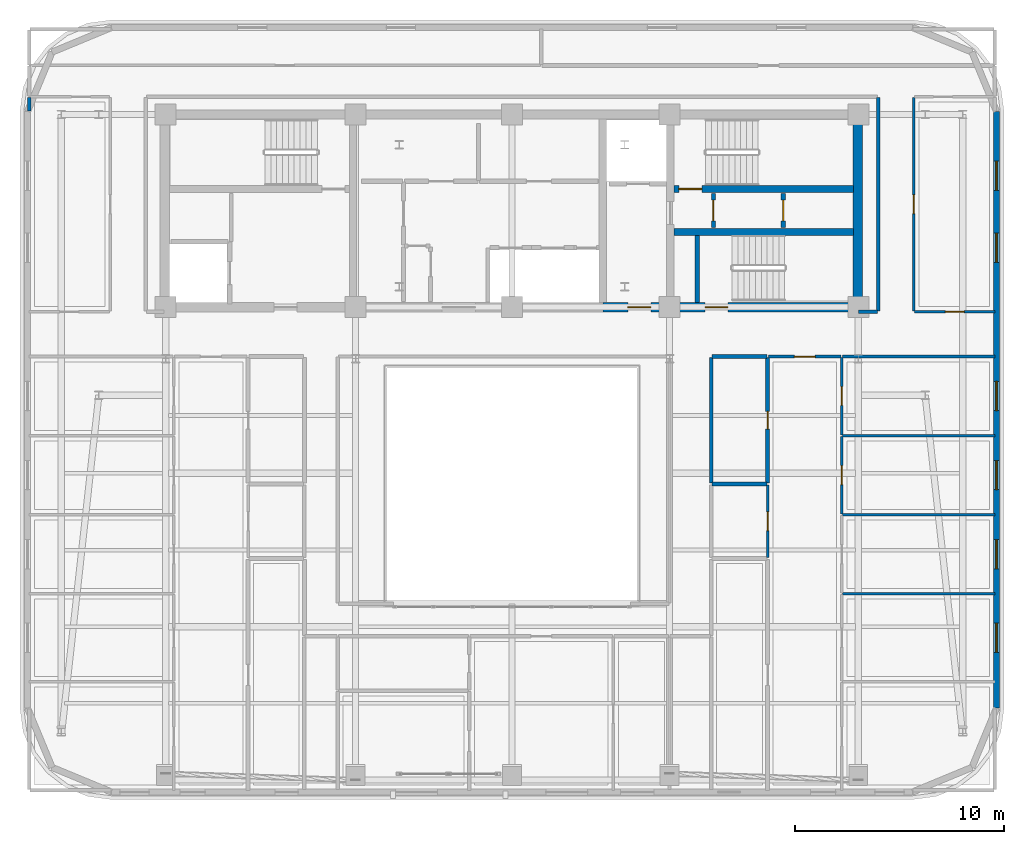
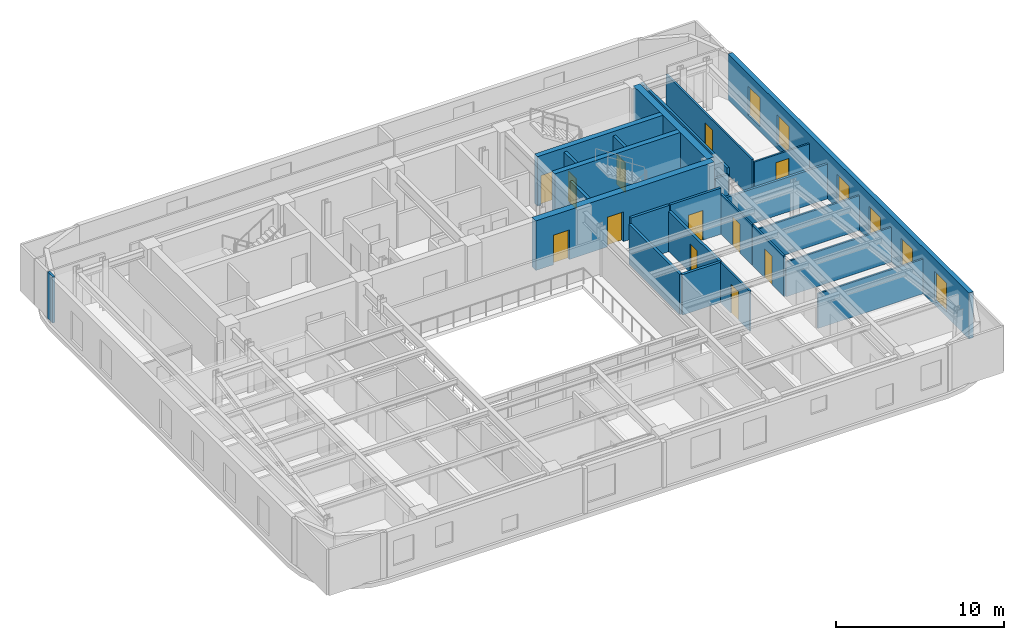
# One storey, part 9 of 14: 25 walls, 12 doors, 6 windows, 18 openings.
"""IFC4 building model written with IfcOpenShell, lengths in metres."""

from ifc_helpers import new_model, si_unit, direction, frame, frame_2d, origin, place, context, subcontext, project, spatial, rectangle, extrude, material, layer, layer_set, type_object, element, fill, save


model = new_model("IFC4")

# Units and contexts
model_context = context("Model", 3, precision=1e-05, world=origin(), true_north=direction((0.0, 1.0)))
body_context = subcontext(model_context, "Body", "Model", "MODEL_VIEW")
ifc_project = project(units=[si_unit("LENGTHUNIT", "METRE"), si_unit("AREAUNIT", "SQUARE_METRE"), si_unit("VOLUMEUNIT", "CUBIC_METRE"), si_unit("PLANEANGLEUNIT", "RADIAN"), si_unit("MASSUNIT", "GRAM", prefix="KILO")], contexts=[model_context])

# Site, building, storey
site_placement = place(None, origin())
site = spatial("IfcSite", under=ifc_project, at=site_placement, CompositionType="ELEMENT")
building_placement = place(site_placement, origin())
building = spatial("IfcBuilding", under=site, at=building_placement, Name="Zarnavel Station Tower", CompositionType="ELEMENT")
storey_placement = place(building_placement, frame((0.0, 0.0, 229.199951171875)))
storey = spatial("IfcBuildingStorey", under=building, at=storey_placement, Name="L62", CompositionType="ELEMENT", Elevation=229.199951171875)

# Wall, opening, door
ifc_material_1 = material(Name="Concrete C50/60", Category="concrete")
ifc_layer_1 = layer(ifc_material_1, 0.35009765625)
ifc_layer_set_1 = layer_set([ifc_layer_1], Name="CW_350")
wall_type_1 = type_object("IfcWallType", Name="CW_350", PredefinedType="SHEAR", material=ifc_layer_set_1)
wall_1_placement = place(storey_placement, frame((45.155029296875, 33.47998046875, 0.0), z_axis=(0.0, 0.0, 1.0), x_axis=(-1.0, 0.0, 0.0)))
wall_1 = element("IfcWall", 1, at=wall_1_placement, inside=storey, type_object=wall_type_1, Name="L62 Rear Core Shear Wall DIV-H2", PredefinedType="SHEAR", context=body_context, shape_type="SweptSolid", body=[
    extrude(rectangle(XDim=8.60009765625, YDim=0.35009765625, at=frame_2d((4.300048828125, 0.0))), origin(), (0.0, 0.0, 1.0), 3.60009765625),
])
opening_1_placement = place(wall_1_placement, frame((7.2548828125, 0.0, 0.0)))
opening_1 = element("IfcOpeningElement", 2, at=opening_1_placement, cuts=wall_1, Name="Opening FD01", PredefinedType="OPENING", context=body_context, shape_type="SweptSolid", body=[
    extrude(rectangle(XDim=1.10009765625, YDim=2.14990234375, at=frame_2d((0.550048828125, 1.074951171875))), frame((0.0, 0.18505859375, 0.0), z_axis=(0.0, -1.0, 0.0), x_axis=(1.0, 0.0, 0.0)), (0.0, 0.0, 1.0), 0.3701171875),
])
ifc_material_2 = material(Name="Painted Galvanised Steel and Hardwood Leaf", Category="steel")
door_type_1 = type_object("IfcDoorType", Name="ID_STAIR_1100", OperationType="NOTDEFINED", PredefinedType="DOOR", material=ifc_material_2)
door_1_placement = place(opening_1_placement, origin())
door_1 = element("IfcDoor", 3, at=door_1_placement, inside=storey, type_object=door_type_1, Name="L62 Stair ST2 Lobby Fire Door", OperationType="SINGLE_SWING_RIGHT", OverallHeight=2.14990234375, OverallWidth=1.10009765625, PredefinedType="DOOR", context=body_context, shape_type="SweptSolid", body=[
    extrude(rectangle(XDim=1.10009765625, YDim=2.14990234375, at=frame_2d((0.550048828125, 1.074951171875))), frame((0.0, 0.02490234375, 0.0), z_axis=(0.0, -1.0, 0.0), x_axis=(1.0, 0.0, 0.0)), (0.0, 0.0, 1.0), 0.050048828125),
])
fill(opening_1, door_1)

# Wall
wall_2_placement = place(storey_placement, frame((36.554931640625, 31.419921875, 0.0), z_axis=(0.0, 0.0, 1.0), x_axis=(1.0, 0.0, 0.0)))
element("IfcWall", 4, at=wall_2_placement, inside=storey, type_object=wall_type_1, Name="L62 Rear Core Shear Wall DIV-H3", PredefinedType="SHEAR", context=body_context, shape_type="SweptSolid", body=[
    extrude(rectangle(XDim=8.60009765625, YDim=0.35009765625, at=frame_2d((4.300048828125, 0.0))), origin(), (0.0, 0.0, 1.0), 3.60009765625),
])

# Wall, openings, doors
ifc_material_3 = material(Name="Concrete C50/60", Category="concrete")
ifc_layer_2 = layer(ifc_material_3, 0.449951171875)
ifc_layer_set_2 = layer_set([ifc_layer_2], Name="CW_450")
wall_type_2 = type_object("IfcWallType", Name="CW_450", PredefinedType="SHEAR", material=ifc_layer_set_2)
wall_3_placement = place(storey_placement, frame((45.3798828125, 27.820068359375, 0.0), z_axis=(0.0, 0.0, 1.0), x_axis=(-1.0, 0.0, 0.0)))
wall_3 = element("IfcWall", 5, at=wall_3_placement, inside=storey, type_object=wall_type_2, Name="L62 Rear Core Shear Wall S-E", PredefinedType="SHEAR", context=body_context, shape_type="SweptSolid", body=[
    extrude(rectangle(XDim=12.22998046875, YDim=0.449951171875, at=frame_2d((6.114990234375, 0.0))), origin(), (0.0, 0.0, 1.0), 3.60009765625),
])
opening_2_placement = place(wall_3_placement, frame((9.929931640625, 0.0, 0.0)))
opening_2 = element("IfcOpeningElement", 6, at=opening_2_placement, cuts=wall_3, Name="Opening FD01", PredefinedType="OPENING", context=body_context, shape_type="SweptSolid", body=[
    extrude(rectangle(XDim=1.10009765625, YDim=2.14990234375, at=frame_2d((0.550048828125, 1.074951171875))), frame((0.0, 0.23486328125, 0.0), z_axis=(0.0, -1.0, 0.0), x_axis=(1.0, 0.0, 0.0)), (0.0, 0.0, 1.0), 0.469970703125),
])
opening_3_placement = place(wall_3_placement, frame((6.22998046875, 0.0, 0.0)))
opening_3 = element("IfcOpeningElement", 7, at=opening_3_placement, cuts=wall_3, Name="Opening FD01", PredefinedType="OPENING", context=body_context, shape_type="SweptSolid", body=[
    extrude(rectangle(XDim=1.10009765625, YDim=2.14990234375, at=frame_2d((0.550048828125, 1.074951171875))), frame((0.0, 0.23486328125, 0.0), z_axis=(0.0, -1.0, 0.0), x_axis=(1.0, 0.0, 0.0)), (0.0, 0.0, 1.0), 0.469970703125),
])
door_2_placement = place(opening_2_placement, origin())
door_2 = element("IfcDoor", 8, at=door_2_placement, inside=storey, type_object=door_type_1, Name="L62 East Firefighting Lobby Door", OperationType="SINGLE_SWING_LEFT", OverallHeight=2.14990234375, OverallWidth=1.10009765625, PredefinedType="DOOR", context=body_context, shape_type="SweptSolid", body=[
    extrude(rectangle(XDim=1.10009765625, YDim=2.14990234375, at=frame_2d((0.550048828125, 1.074951171875))), frame((0.0, 0.02490234375, 0.0), z_axis=(0.0, -1.0, 0.0), x_axis=(1.0, 0.0, 0.0)), (0.0, 0.0, 1.0), 0.050048828125),
])
fill(opening_2, door_2)
door_3_placement = place(opening_3_placement, origin())
door_3 = element("IfcDoor", 9, at=door_3_placement, inside=storey, type_object=door_type_1, Name="L62 Stair ST3 Corridor Fire Door", OperationType="SINGLE_SWING_RIGHT", OverallHeight=2.14990234375, OverallWidth=1.10009765625, PredefinedType="DOOR", context=body_context, shape_type="SweptSolid", body=[
    extrude(rectangle(XDim=1.10009765625, YDim=2.14990234375, at=frame_2d((0.550048828125, 1.074951171875))), frame((0.0, 0.02490234375, 0.0), z_axis=(0.0, -1.0, 0.0), x_axis=(1.0, 0.0, 0.0)), (0.0, 0.0, 1.0), 0.050048828125),
])
fill(opening_3, door_3)

# Wall
wall_4_placement = place(storey_placement, frame((45.3798828125, 28.044921875, 0.0), z_axis=(0.0, 0.0, 1.0), x_axis=(0.0, 1.0, 0.0)))
element("IfcWall", 10, at=wall_4_placement, inside=storey, type_object=wall_type_2, Name="L62 Rear Core Shear Wall E", PredefinedType="SHEAR", context=body_context, shape_type="SweptSolid", body=[
    extrude(rectangle(XDim=8.780029296875, YDim=0.449951171875, at=frame_2d((4.39013671875, 0.0))), origin(), (0.0, 0.0, 1.0), 3.60009765625),
])

# Wall, openings, windows
ifc_material_4 = material(Name="Precast concrete C45/55 (Dark Basalt Finish)", Category="masonry")
ifc_layer_3 = layer(ifc_material_4, 0.300048828125)
ifc_layer_set_3 = layer_set([ifc_layer_3], Name="EW_BASALT_300")
wall_type_3 = type_object("IfcWallType", Name="EW_BASALT_300", PredefinedType="SOLIDWALL", material=ifc_layer_set_3)
wall_5_placement = place(storey_placement, frame((52.02001953125, 37.199951171875, 0.0), z_axis=(0.0, 0.0, 1.0), x_axis=(0.0, -1.0, 0.0)))
wall_5 = element("IfcWall", 11, at=wall_5_placement, inside=storey, type_object=wall_type_3, Name="L62 Exterior Basalt Masonry Frame Wall 03", PredefinedType="SOLIDWALL", context=body_context, shape_type="SweptSolid", body=[
    extrude(rectangle(XDim=28.599853515625, YDim=0.300048828125, at=frame_2d((14.2998046875, 0.0))), origin(), (0.0, 0.0, 1.0), 3.340087890625),
])
opening_4_placement = place(wall_5_placement, frame((2.3798828125, 0.0, 0.340087890625)))
opening_4 = element("IfcOpeningElement", 12, at=opening_4_placement, cuts=wall_5, Name="Opening WN04", PredefinedType="OPENING", context=body_context, shape_type="SweptSolid", body=[
    extrude(rectangle(XDim=1.39990234375, YDim=2.10009765625, at=frame_2d((0.699951171875, 1.050048828125))), frame((0.0, 0.159912109375, 0.0), z_axis=(0.0, -1.0, 0.0), x_axis=(1.0, 0.0, 0.0)), (0.0, 0.0, 1.0), 0.320068359375),
])
opening_5_placement = place(wall_5_placement, frame((5.840087890625, 0.0, 0.340087890625)))
opening_5 = element("IfcOpeningElement", 13, at=opening_5_placement, cuts=wall_5, Name="Opening WN04", PredefinedType="OPENING", context=body_context, shape_type="SweptSolid", body=[
    extrude(rectangle(XDim=1.39990234375, YDim=2.10009765625, at=frame_2d((0.699951171875, 1.050048828125))), frame((0.0, 0.159912109375, 0.0), z_axis=(0.0, -1.0, 0.0), x_axis=(1.0, 0.0, 0.0)), (0.0, 0.0, 1.0), 0.320068359375),
])
opening_6_placement = place(wall_5_placement, frame((24.529052734375, 0.0, 0.340087890625)))
opening_6 = element("IfcOpeningElement", 14, at=opening_6_placement, cuts=wall_5, Name="Opening WN04", PredefinedType="OPENING", context=body_context, shape_type="SweptSolid", body=[
    extrude(rectangle(XDim=1.39990234375, YDim=2.10009765625, at=frame_2d((0.699951171875, 1.050048828125))), frame((0.0, 0.159912109375, 0.0), z_axis=(0.0, -1.0, 0.0), x_axis=(1.0, 0.0, 0.0)), (0.0, 0.0, 1.0), 0.320068359375),
])
opening_7_placement = place(wall_5_placement, frame((20.52099609375, 0.0, 0.340087890625)))
opening_7 = element("IfcOpeningElement", 15, at=opening_7_placement, cuts=wall_5, Name="Opening WN04", PredefinedType="OPENING", context=body_context, shape_type="SweptSolid", body=[
    extrude(rectangle(XDim=1.39990234375, YDim=2.10009765625, at=frame_2d((0.699951171875, 1.050048828125))), frame((0.0, 0.159912109375, 0.0), z_axis=(0.0, -1.0, 0.0), x_axis=(1.0, 0.0, 0.0)), (0.0, 0.0, 1.0), 0.320068359375),
])
opening_8_placement = place(wall_5_placement, frame((16.73291015625, 0.0, 0.340087890625)))
opening_8 = element("IfcOpeningElement", 16, at=opening_8_placement, cuts=wall_5, Name="Opening WN04", PredefinedType="OPENING", context=body_context, shape_type="SweptSolid", body=[
    extrude(rectangle(XDim=1.39990234375, YDim=2.10009765625, at=frame_2d((0.699951171875, 1.050048828125))), frame((0.0, 0.159912109375, 0.0), z_axis=(0.0, -1.0, 0.0), x_axis=(1.0, 0.0, 0.0)), (0.0, 0.0, 1.0), 0.320068359375),
])
opening_9_placement = place(wall_5_placement, frame((12.944580078125, 0.0, 0.340087890625)))
opening_9 = element("IfcOpeningElement", 17, at=opening_9_placement, cuts=wall_5, Name="Opening WN04", PredefinedType="OPENING", context=body_context, shape_type="SweptSolid", body=[
    extrude(rectangle(XDim=1.39990234375, YDim=2.10009765625, at=frame_2d((0.699951171875, 1.050048828125))), frame((0.0, 0.159912109375, 0.0), z_axis=(0.0, -1.0, 0.0), x_axis=(1.0, 0.0, 0.0)), (0.0, 0.0, 1.0), 0.320068359375),
])
ifc_material_5 = material(Name="Thermally Broken Black Aluminium and Low-E Dark Glass", Category="aluminium")
window_type = type_object("IfcWindowType", Name="WN_1400x2100", PartitioningType="DOUBLE_PANEL_VERTICAL", PredefinedType="WINDOW", material=ifc_material_5)
window_1_placement = place(opening_4_placement, origin())
window_1 = element("IfcWindow", 18, at=window_1_placement, inside=storey, type_object=window_type, Name="L62 Recessed Facade Window 01", OverallHeight=2.10009765625, OverallWidth=1.39990234375, PartitioningType="SINGLE_PANEL", PredefinedType="WINDOW", context=body_context, shape_type="SweptSolid", body=[
    extrude(rectangle(XDim=1.39990234375, YDim=2.10009765625, at=frame_2d((0.699951171875, 1.050048828125))), frame((0.0, 0.030029296875, 0.0), z_axis=(0.0, -1.0, 0.0), x_axis=(1.0, 0.0, 0.0)), (0.0, 0.0, 1.0), 0.06005859375),
])
fill(opening_4, window_1)
window_2_placement = place(opening_5_placement, origin())
window_2 = element("IfcWindow", 19, at=window_2_placement, inside=storey, type_object=window_type, Name="L62 Recessed Facade Window 02", OverallHeight=2.10009765625, OverallWidth=1.39990234375, PartitioningType="SINGLE_PANEL", PredefinedType="WINDOW", context=body_context, shape_type="SweptSolid", body=[
    extrude(rectangle(XDim=1.39990234375, YDim=2.10009765625, at=frame_2d((0.699951171875, 1.050048828125))), frame((0.0, 0.030029296875, 0.0), z_axis=(0.0, -1.0, 0.0), x_axis=(1.0, 0.0, 0.0)), (0.0, 0.0, 1.0), 0.06005859375),
])
fill(opening_5, window_2)
window_3_placement = place(opening_6_placement, origin())
window_3 = element("IfcWindow", 20, at=window_3_placement, inside=storey, type_object=window_type, Name="L62 Recessed Facade Window 03", OverallHeight=2.10009765625, OverallWidth=1.39990234375, PartitioningType="SINGLE_PANEL", PredefinedType="WINDOW", context=body_context, shape_type="SweptSolid", body=[
    extrude(rectangle(XDim=1.39990234375, YDim=2.10009765625, at=frame_2d((0.699951171875, 1.050048828125))), frame((0.0, 0.030029296875, 0.0), z_axis=(0.0, -1.0, 0.0), x_axis=(1.0, 0.0, 0.0)), (0.0, 0.0, 1.0), 0.06005859375),
])
fill(opening_6, window_3)
window_4_placement = place(opening_7_placement, origin())
window_4 = element("IfcWindow", 21, at=window_4_placement, inside=storey, type_object=window_type, Name="L62 Recessed Facade Window 04", OverallHeight=2.10009765625, OverallWidth=1.39990234375, PartitioningType="SINGLE_PANEL", PredefinedType="WINDOW", context=body_context, shape_type="SweptSolid", body=[
    extrude(rectangle(XDim=1.39990234375, YDim=2.10009765625, at=frame_2d((0.699951171875, 1.050048828125))), frame((0.0, 0.030029296875, 0.0), z_axis=(0.0, -1.0, 0.0), x_axis=(1.0, 0.0, 0.0)), (0.0, 0.0, 1.0), 0.06005859375),
])
fill(opening_7, window_4)
window_5_placement = place(opening_8_placement, origin())
window_5 = element("IfcWindow", 22, at=window_5_placement, inside=storey, type_object=window_type, Name="L62 Recessed Facade Window 05", OverallHeight=2.10009765625, OverallWidth=1.39990234375, PartitioningType="SINGLE_PANEL", PredefinedType="WINDOW", context=body_context, shape_type="SweptSolid", body=[
    extrude(rectangle(XDim=1.39990234375, YDim=2.10009765625, at=frame_2d((0.699951171875, 1.050048828125))), frame((0.0, 0.030029296875, 0.0), z_axis=(0.0, -1.0, 0.0), x_axis=(1.0, 0.0, 0.0)), (0.0, 0.0, 1.0), 0.06005859375),
])
fill(opening_8, window_5)
window_6_placement = place(opening_9_placement, origin())
window_6 = element("IfcWindow", 23, at=window_6_placement, inside=storey, type_object=window_type, Name="L62 Recessed Facade Window 06", OverallHeight=2.10009765625, OverallWidth=1.39990234375, PartitioningType="SINGLE_PANEL", PredefinedType="WINDOW", context=body_context, shape_type="SweptSolid", body=[
    extrude(rectangle(XDim=1.39990234375, YDim=2.10009765625, at=frame_2d((0.699951171875, 1.050048828125))), frame((0.0, 0.030029296875, 0.0), z_axis=(0.0, -1.0, 0.0), x_axis=(1.0, 0.0, 0.0)), (0.0, 0.0, 1.0), 0.06005859375),
])
fill(opening_9, window_6)

# Wall, opening, door
ifc_material_6 = material(Name="Gypsum Twin-Stud Acoustic Fire Partition", Category="concrete")
ifc_layer_4 = layer(ifc_material_6, 0.159912109375)
ifc_layer_set_4 = layer_set([ifc_layer_4], Name="PT_DEMISE_160")
wall_type_4 = type_object("IfcWallType", Name="PT_DEMISE_160", PredefinedType="PARTITIONING", material=ifc_layer_set_4)
wall_6_placement = place(storey_placement, frame((41.090087890625, 25.449951171875, 0.0), z_axis=(0.0, 0.0, 1.0), x_axis=(1.0, 0.0, 0.0)))
wall_6 = element("IfcWall", 24, at=wall_6_placement, inside=storey, type_object=wall_type_4, Name="L62 Partition COR-S-UE1LV", PredefinedType="PARTITIONING", context=body_context, shape_type="SweptSolid", body=[
    extrude(rectangle(XDim=3.47900390625, YDim=0.159912109375, at=frame_2d((1.739501953125, 0.0))), origin(), (0.0, 0.0, 1.0), 3.340087890625),
])
opening_10_placement = place(wall_6_placement, frame((1.239501953125, 0.0, 0.0)))
opening_10 = element("IfcOpeningElement", 25, at=opening_10_placement, cuts=wall_6, Name="Opening FD02", PredefinedType="OPENING", context=body_context, shape_type="SweptSolid", body=[
    extrude(rectangle(XDim=1.0, YDim=2.14990234375, at=frame_2d((0.5, 1.074951171875))), frame((0.0, 0.08984375, 0.0), z_axis=(0.0, -1.0, 0.0), x_axis=(1.0, 0.0, 0.0)), (0.0, 0.0, 1.0), 0.179931640625),
])
ifc_material_7 = material(Name="Painted Galvanised Steel and Hardwood Leaf", Category="steel")
door_type_2 = type_object("IfcDoorType", Name="ID_ENTRY_1000", OperationType="NOTDEFINED", PredefinedType="DOOR", material=ifc_material_7)
door_4_placement = place(opening_10_placement, origin())
door_4 = element("IfcDoor", 26, at=door_4_placement, inside=storey, type_object=door_type_2, Name="L62 Door COR-S-UE1LV", OperationType="SINGLE_SWING_RIGHT", OverallHeight=2.14990234375, OverallWidth=1.0, PredefinedType="DOOR", context=body_context, shape_type="SweptSolid", body=[
    extrude(rectangle(XDim=1.0, YDim=2.14990234375, at=frame_2d((0.5, 1.074951171875))), frame((0.0, 0.02490234375, 0.0), z_axis=(0.0, -1.0, 0.0), x_axis=(1.0, 0.0, 0.0)), (0.0, 0.0, 1.0), 0.050048828125),
])
fill(opening_10, door_4)

# Walls
wall_7_placement = place(storey_placement, frame((44.64892578125, 25.449951171875, 0.0), z_axis=(0.0, 0.0, 1.0), x_axis=(1.0, 0.0, 0.0)))
element("IfcWall", 27, at=wall_7_placement, inside=storey, type_object=wall_type_4, Name="L62 Partition COR-S-UE1B5", PredefinedType="PARTITIONING", context=body_context, shape_type="SweptSolid", body=[
    extrude(rectangle(XDim=7.291015625, YDim=0.159912109375, at=frame_2d((3.6455078125, 0.0))), origin(), (0.0, 0.0, 1.0), 2.52001953125),
])
wall_8_placement = place(storey_placement, frame((45.409912109375, 27.60009765625, 0.0), z_axis=(0.0, 0.0, 1.0), x_axis=(1.0, 0.0, 0.0)))
element("IfcWall", 28, at=wall_8_placement, inside=storey, type_object=wall_type_4, Name="L62 Enclosure Wall COR-S", PredefinedType="PARTITIONING", context=body_context, shape_type="SweptSolid", body=[
    extrude(rectangle(XDim=0.91015625, YDim=0.159912109375, at=frame_2d((0.455078125, 0.0))), origin(), (0.0, 0.0, 1.0), 2.41015625),
])
wall_9_placement = place(storey_placement, frame((46.35009765625, 27.6298828125, 0.0), z_axis=(0.0, 0.0, 1.0), x_axis=(0.0, 1.0, 0.0)))
element("IfcWall", 29, at=wall_9_placement, inside=storey, type_object=wall_type_4, Name="L62 Enclosure Wall COR-E", PredefinedType="PARTITIONING", context=body_context, shape_type="SweptSolid", body=[
    extrude(rectangle(XDim=10.240234375, YDim=0.159912109375, at=frame_2d((5.1201171875, 0.0))), origin(), (0.0, 0.0, 1.0), 2.820068359375),
])
wall_10_placement = place(storey_placement, frame((5.659912109375, 37.22998046875, 0.0), z_axis=(0.0, 0.0, 1.0), x_axis=(0.0, 1.0, 0.0)))
element("IfcWall", 30, at=wall_10_placement, inside=storey, type_object=wall_type_4, Name="L62 Enclosure Wall FNW", PredefinedType="PARTITIONING", context=body_context, shape_type="SweptSolid", body=[
    extrude(rectangle(XDim=0.64013671875, YDim=0.159912109375, at=frame_2d((0.320068359375, 0.0))), origin(), (0.0, 0.0, 1.0), 3.340087890625),
])

# Wall, opening, door
ifc_material_8 = material(Name="Gypsum Metal-Stud Interior Partition", Category="concrete")
ifc_layer_5 = layer(ifc_material_8, 0.1201171875)
ifc_layer_set_5 = layer_set([ifc_layer_5], Name="PT_ROOM_120")
wall_type_5 = type_object("IfcWallType", Name="PT_ROOM_120", PredefinedType="PARTITIONING", material=ifc_layer_set_5)
wall_11_placement = place(storey_placement, frame((48.090087890625, 27.60009765625, 0.0), z_axis=(0.0, 0.0, 1.0), x_axis=(1.0, 0.0, 0.0)))
wall_11 = element("IfcWall", 31, at=wall_11_placement, inside=storey, type_object=wall_type_5, Name="L62 Partition COR-S-FNE", PredefinedType="PARTITIONING", context=body_context, shape_type="SweptSolid", body=[
    extrude(rectangle(XDim=3.849853515625, YDim=0.1201171875, at=frame_2d((1.9248046875, 0.0))), origin(), (0.0, 0.0, 1.0), 2.670166015625),
])
opening_11_placement = place(wall_11_placement, frame((1.47509765625, 0.0, 0.0)))
opening_11 = element("IfcOpeningElement", 32, at=opening_11_placement, cuts=wall_11, Name="Opening ID01", PredefinedType="OPENING", context=body_context, shape_type="SweptSolid", body=[
    extrude(rectangle(XDim=0.89990234375, YDim=2.10009765625, at=frame_2d((0.449951171875, 1.050048828125))), frame((0.0, 0.070068359375, 0.0), z_axis=(0.0, -1.0, 0.0), x_axis=(1.0, 0.0, 0.0)), (0.0, 0.0, 1.0), 0.14013671875),
])
ifc_material_9 = material(Name="Painted Galvanised Steel and Hardwood Leaf", Category="steel")
door_type_3 = type_object("IfcDoorType", Name="ID_ROOM_900", OperationType="NOTDEFINED", PredefinedType="DOOR", material=ifc_material_9)
door_5_placement = place(opening_11_placement, origin())
door_5 = element("IfcDoor", 33, at=door_5_placement, inside=storey, type_object=door_type_3, Name="L62 Door COR-S-FNE", OperationType="SINGLE_SWING_RIGHT", OverallHeight=2.10009765625, OverallWidth=0.89990234375, PredefinedType="DOOR", context=body_context, shape_type="SweptSolid", body=[
    extrude(rectangle(XDim=0.89990234375, YDim=2.10009765625, at=frame_2d((0.449951171875, 1.050048828125))), frame((0.0, 0.02490234375, 0.0), z_axis=(0.0, -1.0, 0.0), x_axis=(1.0, 0.0, 0.0)), (0.0, 0.0, 1.0), 0.050048828125),
])
fill(opening_11, door_5)

wall_12_placement = place(storey_placement, frame((48.050048828125, 27.639892578125, 0.0), z_axis=(0.0, 0.0, 1.0), x_axis=(0.0, 1.0, 0.0)))
wall_12 = element("IfcWall", 34, at=wall_12_placement, inside=storey, type_object=wall_type_5, Name="L62 Partition COR-E-FNE", PredefinedType="PARTITIONING", context=body_context, shape_type="SweptSolid", body=[
    extrude(rectangle(XDim=10.22021484375, YDim=0.1201171875, at=frame_2d((5.110107421875, 0.0))), origin(), (0.0, 0.0, 1.0), 2.820068359375),
])
opening_12_placement = place(wall_12_placement, frame((4.659912109375, 0.0, 0.0)))
opening_12 = element("IfcOpeningElement", 35, at=opening_12_placement, cuts=wall_12, Name="Opening ID01", PredefinedType="OPENING", context=body_context, shape_type="SweptSolid", body=[
    extrude(rectangle(XDim=0.89990234375, YDim=2.10009765625, at=frame_2d((0.449951171875, 1.050048828125))), frame((0.0, 0.070068359375, 0.0), z_axis=(0.0, -1.0, 0.0), x_axis=(1.0, 0.0, 0.0)), (0.0, 0.0, 1.0), 0.14013671875),
])
door_6_placement = place(opening_12_placement, origin())
door_6 = element("IfcDoor", 36, at=door_6_placement, inside=storey, type_object=door_type_3, Name="L62 Door COR-E-FNE", OperationType="SINGLE_SWING_LEFT", OverallHeight=2.10009765625, OverallWidth=0.89990234375, PredefinedType="DOOR", context=body_context, shape_type="SweptSolid", body=[
    extrude(rectangle(XDim=0.89990234375, YDim=2.10009765625, at=frame_2d((0.449951171875, 1.050048828125))), frame((0.0, 0.02490234375, 0.0), z_axis=(0.0, -1.0, 0.0), x_axis=(1.0, 0.0, 0.0)), (0.0, 0.0, 1.0), 0.050048828125),
])
fill(opening_12, door_6)

wall_13_placement = place(storey_placement, frame((41.050048828125, 15.81103515625, 0.0), z_axis=(0.0, 0.0, 1.0), x_axis=(0.0, 1.0, 0.0)))
wall_13 = element("IfcWall", 37, at=wall_13_placement, inside=storey, type_object=wall_type_5, Name="L62 Partition UE1LV-UE1UT", PredefinedType="PARTITIONING", context=body_context, shape_type="SweptSolid", body=[
    extrude(rectangle(XDim=3.488037109375, YDim=0.1201171875, at=frame_2d((1.744140625, 0.0))), origin(), (0.0, 0.0, 1.0), 2.920166015625),
])
opening_13_placement = place(wall_13_placement, frame((1.2939453125, 0.0, 0.0)))
opening_13 = element("IfcOpeningElement", 38, at=opening_13_placement, cuts=wall_13, Name="Opening ID01", PredefinedType="OPENING", context=body_context, shape_type="SweptSolid", body=[
    extrude(rectangle(XDim=0.89990234375, YDim=2.10009765625, at=frame_2d((0.449951171875, 1.050048828125))), frame((0.0, 0.070068359375, 0.0), z_axis=(0.0, -1.0, 0.0), x_axis=(1.0, 0.0, 0.0)), (0.0, 0.0, 1.0), 0.14013671875),
])
door_7_placement = place(opening_13_placement, origin())
door_7 = element("IfcDoor", 39, at=door_7_placement, inside=storey, type_object=door_type_3, Name="L62 Door UE1LV-UE1UT", OperationType="SINGLE_SWING_RIGHT", OverallHeight=2.10009765625, OverallWidth=0.89990234375, PredefinedType="DOOR", context=body_context, shape_type="SweptSolid", body=[
    extrude(rectangle(XDim=0.89990234375, YDim=2.10009765625, at=frame_2d((0.449951171875, 1.050048828125))), frame((0.0, 0.02490234375, 0.0), z_axis=(0.0, -1.0, 0.0), x_axis=(1.0, 0.0, 0.0)), (0.0, 0.0, 1.0), 0.050048828125),
])
fill(opening_13, door_7)

wall_14_placement = place(storey_placement, frame((44.60888671875, 17.9130859375, 0.0), z_axis=(0.0, 0.0, 1.0), x_axis=(0.0, 1.0, 0.0)))
wall_14 = element("IfcWall", 40, at=wall_14_placement, inside=storey, type_object=wall_type_5, Name="L62 Partition UE1LV-UE1B4", PredefinedType="PARTITIONING", context=body_context, shape_type="SweptSolid", body=[
    extrude(rectangle(XDim=3.7080078125, YDim=0.1201171875, at=frame_2d((1.85400390625, 0.0))), origin(), (0.0, 0.0, 1.0), 2.929931640625),
])
opening_14_placement = place(wall_14_placement, frame((1.404052734375, 0.0, 0.0)))
opening_14 = element("IfcOpeningElement", 41, at=opening_14_placement, cuts=wall_14, Name="Opening ID01", PredefinedType="OPENING", context=body_context, shape_type="SweptSolid", body=[
    extrude(rectangle(XDim=0.89990234375, YDim=2.10009765625, at=frame_2d((0.449951171875, 1.050048828125))), frame((0.0, 0.070068359375, 0.0), z_axis=(0.0, -1.0, 0.0), x_axis=(1.0, 0.0, 0.0)), (0.0, 0.0, 1.0), 0.14013671875),
])
door_8_placement = place(opening_14_placement, origin())
door_8 = element("IfcDoor", 42, at=door_8_placement, inside=storey, type_object=door_type_3, Name="L62 Door UE1LV-UE1B4", OperationType="SINGLE_SWING_LEFT", OverallHeight=2.10009765625, OverallWidth=0.89990234375, PredefinedType="DOOR", context=body_context, shape_type="SweptSolid", body=[
    extrude(rectangle(XDim=0.89990234375, YDim=2.10009765625, at=frame_2d((0.449951171875, 1.050048828125))), frame((0.0, 0.02490234375, 0.0), z_axis=(0.0, -1.0, 0.0), x_axis=(1.0, 0.0, 0.0)), (0.0, 0.0, 1.0), 0.050048828125),
])
fill(opening_14, door_8)

wall_15_placement = place(storey_placement, frame((44.60888671875, 21.700927734375, 0.0), z_axis=(0.0, 0.0, 1.0), x_axis=(0.0, 1.0, 0.0)))
wall_15 = element("IfcWall", 43, at=wall_15_placement, inside=storey, type_object=wall_type_5, Name="L62 Partition UE1LV-UE1B5", PredefinedType="PARTITIONING", context=body_context, shape_type="SweptSolid", body=[
    extrude(rectangle(XDim=3.708984375, YDim=0.1201171875, at=frame_2d((1.8544921875, 0.0))), origin(), (0.0, 0.0, 1.0), 2.920166015625),
])
opening_15_placement = place(wall_15_placement, frame((1.404541015625, 0.0, 0.0)))
opening_15 = element("IfcOpeningElement", 44, at=opening_15_placement, cuts=wall_15, Name="Opening ID01", PredefinedType="OPENING", context=body_context, shape_type="SweptSolid", body=[
    extrude(rectangle(XDim=0.89990234375, YDim=2.10009765625, at=frame_2d((0.449951171875, 1.050048828125))), frame((0.0, 0.070068359375, 0.0), z_axis=(0.0, -1.0, 0.0), x_axis=(1.0, 0.0, 0.0)), (0.0, 0.0, 1.0), 0.14013671875),
])
door_9_placement = place(opening_15_placement, origin())
door_9 = element("IfcDoor", 45, at=door_9_placement, inside=storey, type_object=door_type_3, Name="L62 Door UE1LV-UE1B5", OperationType="SINGLE_SWING_RIGHT", OverallHeight=2.10009765625, OverallWidth=0.89990234375, PredefinedType="DOOR", context=body_context, shape_type="SweptSolid", body=[
    extrude(rectangle(XDim=0.89990234375, YDim=2.10009765625, at=frame_2d((0.449951171875, 1.050048828125))), frame((0.0, 0.02490234375, 0.0), z_axis=(0.0, -1.0, 0.0), x_axis=(1.0, 0.0, 0.0)), (0.0, 0.0, 1.0), 0.050048828125),
])
fill(opening_15, door_9)

# Walls
for number, where, z_axis, x_axis, name in (
    (46, (44.64892578125, 14.0849609375, 0.0), (0.0, 0.0, 1.0), (1.0, 0.0, 0.0), "L62 Partition UE1B2-UE1B3"),
    (47, (44.64892578125, 17.873046875, 0.0), (0.0, 0.0, 1.0), (1.0, 0.0, 0.0), "L62 Partition UE1B3-UE1B4"),
    (48, (44.64892578125, 21.660888671875, 0.0), (0.0, 0.0, 1.0), (1.0, 0.0, 0.0), "L62 Partition UE1B4-UE1B5"),
):
    element("IfcWall", number, at=place(storey_placement, frame(where, z_axis=z_axis, x_axis=x_axis)), inside=storey, type_object=wall_type_5, Name=name, PredefinedType="PARTITIONING", context=body_context, shape_type="SweptSolid", body=[
        extrude(rectangle(XDim=7.291015625, YDim=0.1201171875, at=frame_2d((3.6455078125, 0.0))), origin(), (0.0, 0.0, 1.0), 2.52001953125),
    ])
ifc_material_10 = material(Name="Precast concrete C45/55 (Fire Shaft Blockwork)", Category="masonry")
ifc_layer_6 = layer(ifc_material_10, 0.199951171875)
ifc_layer_set_6 = layer_set([ifc_layer_6], Name="PT_SHAFT_200")
wall_type_6 = type_object("IfcWallType", Name="PT_SHAFT_200", PredefinedType="PARTITIONING", material=ifc_layer_set_6)
wall_16_placement = place(storey_placement, frame((37.679931640625, 28.044921875, 0.0), z_axis=(0.0, 0.0, 1.0), x_axis=(0.0, 1.0, 0.0)))
element("IfcWall", 49, at=wall_16_placement, inside=storey, type_object=wall_type_6, Name="L62 Stair ST3 West Shaft Wall", PredefinedType="PARTITIONING", context=body_context, shape_type="SweptSolid", body=[
    extrude(rectangle(XDim=3.205078125, YDim=0.199951171875, at=frame_2d((1.6025390625, 0.0))), origin(), (0.0, 0.0, 1.0), 2.719970703125),
])

# Wall, opening, door
wall_17_placement = place(storey_placement, frame((38.449951171875, 31.639892578125, 0.0), z_axis=(0.0, 0.0, 1.0), x_axis=(0.0, 1.0, 0.0)))
wall_17 = element("IfcWall", 50, at=wall_17_placement, inside=storey, type_object=wall_type_6, Name="L62 Partition ESTV-CEA", PredefinedType="PARTITIONING", context=body_context, shape_type="SweptSolid", body=[
    extrude(rectangle(XDim=1.6201171875, YDim=0.199951171875, at=frame_2d((0.81005859375, 0.0))), origin(), (0.0, 0.0, 1.0), 3.340087890625),
])
opening_16_placement = place(wall_17_placement, frame((0.31005859375, 0.0, 0.0)))
opening_16 = element("IfcOpeningElement", 51, at=opening_16_placement, cuts=wall_17, Name="Opening FD02", PredefinedType="OPENING", context=body_context, shape_type="SweptSolid", body=[
    extrude(rectangle(XDim=1.0, YDim=2.14990234375, at=frame_2d((0.5, 1.074951171875))), frame((0.0, 0.10986328125, 0.0), z_axis=(0.0, -1.0, 0.0), x_axis=(1.0, 0.0, 0.0)), (0.0, 0.0, 1.0), 0.219970703125),
])
door_10_placement = place(opening_16_placement, origin())
door_10 = element("IfcDoor", 52, at=door_10_placement, inside=storey, type_object=door_type_2, Name="L62 Door ESTV-CEA", OperationType="SINGLE_SWING_RIGHT", OverallHeight=2.14990234375, OverallWidth=1.0, PredefinedType="DOOR", context=body_context, shape_type="SweptSolid", body=[
    extrude(rectangle(XDim=1.0, YDim=2.14990234375, at=frame_2d((0.5, 1.074951171875))), frame((0.0, 0.02490234375, 0.0), z_axis=(0.0, -1.0, 0.0), x_axis=(1.0, 0.0, 0.0)), (0.0, 0.0, 1.0), 0.050048828125),
])
fill(opening_16, door_10)

wall_18_placement = place(storey_placement, frame((41.800048828125, 31.639892578125, 0.0), z_axis=(0.0, 0.0, 1.0), x_axis=(0.0, 1.0, 0.0)))
wall_18 = element("IfcWall", 53, at=wall_18_placement, inside=storey, type_object=wall_type_6, Name="L62 Partition CEA-CEB", PredefinedType="PARTITIONING", context=body_context, shape_type="SweptSolid", body=[
    extrude(rectangle(XDim=1.6201171875, YDim=0.199951171875, at=frame_2d((0.81005859375, 0.0))), origin(), (0.0, 0.0, 1.0), 3.340087890625),
])
opening_17_placement = place(wall_18_placement, frame((0.31005859375, 0.0, 0.0)))
opening_17 = element("IfcOpeningElement", 54, at=opening_17_placement, cuts=wall_18, Name="Opening FD02", PredefinedType="OPENING", context=body_context, shape_type="SweptSolid", body=[
    extrude(rectangle(XDim=1.0, YDim=2.14990234375, at=frame_2d((0.5, 1.074951171875))), frame((0.0, 0.10986328125, 0.0), z_axis=(0.0, -1.0, 0.0), x_axis=(1.0, 0.0, 0.0)), (0.0, 0.0, 1.0), 0.219970703125),
])
door_11_placement = place(opening_17_placement, origin())
door_11 = element("IfcDoor", 55, at=door_11_placement, inside=storey, type_object=door_type_2, Name="L62 Door CEA-CEB", OperationType="SINGLE_SWING_LEFT", OverallHeight=2.14990234375, OverallWidth=1.0, PredefinedType="DOOR", context=body_context, shape_type="SweptSolid", body=[
    extrude(rectangle(XDim=1.0, YDim=2.14990234375, at=frame_2d((0.5, 1.074951171875))), frame((0.0, 0.02490234375, 0.0), z_axis=(0.0, -1.0, 0.0), x_axis=(1.0, 0.0, 0.0)), (0.0, 0.0, 1.0), 0.050048828125),
])
fill(opening_17, door_11)

# Walls
ifc_material_11 = material(Name="Moisture-Resistant Plumbing Chase Wall", Category="concrete")
ifc_layer_7 = layer(ifc_material_11, 0.179931640625)
ifc_layer_set_7 = layer_set([ifc_layer_7], Name="PW_PLUMB_180")
wall_type_7 = type_object("IfcWallType", Name="PW_PLUMB_180", PredefinedType="PLUMBINGWALL", material=ifc_layer_set_7)
wall_19_placement = place(storey_placement, frame((38.389892578125, 25.449951171875, 0.0), z_axis=(0.0, 0.0, 1.0), x_axis=(1.0, 0.0, 0.0)))
element("IfcWall", 56, at=wall_19_placement, inside=storey, type_object=wall_type_7, Name="L62 Partition COR-S-UE1BA", PredefinedType="PLUMBINGWALL", context=body_context, shape_type="SweptSolid", body=[
    extrude(rectangle(XDim=2.6201171875, YDim=0.179931640625, at=frame_2d((1.31005859375, 0.0))), origin(), (0.0, 0.0, 1.0), 3.340087890625),
])
wall_20_placement = place(storey_placement, frame((38.35009765625, 19.37890625, 0.0), z_axis=(0.0, 0.0, 1.0), x_axis=(0.0, 1.0, 0.0)))
element("IfcWall", 57, at=wall_20_placement, inside=storey, type_object=wall_type_7, Name="L62 Partition COR-AE-UE1BA", PredefinedType="PLUMBINGWALL", context=body_context, shape_type="SweptSolid", body=[
    extrude(rectangle(XDim=6.031005859375, YDim=0.179931640625, at=frame_2d((3.015625, 0.0))), origin(), (0.0, 0.0, 1.0), 2.920166015625),
])

# Wall, opening, door
wall_21_placement = place(storey_placement, frame((41.050048828125, 19.37890625, 0.0), z_axis=(0.0, 0.0, 1.0), x_axis=(0.0, 1.0, 0.0)))
wall_21 = element("IfcWall", 58, at=wall_21_placement, inside=storey, type_object=wall_type_7, Name="L62 Partition UE1LV-UE1BA", PredefinedType="PLUMBINGWALL", context=body_context, shape_type="SweptSolid", body=[
    extrude(rectangle(XDim=6.031005859375, YDim=0.179931640625, at=frame_2d((3.015625, 0.0))), origin(), (0.0, 0.0, 1.0), 2.920166015625),
])
opening_18_placement = place(wall_21_placement, frame((2.590576171875, 0.0, 0.0)))
opening_18 = element("IfcOpeningElement", 59, at=opening_18_placement, cuts=wall_21, Name="Opening ID02", PredefinedType="OPENING", context=body_context, shape_type="SweptSolid", body=[
    extrude(rectangle(XDim=0.85009765625, YDim=2.10009765625, at=frame_2d((0.425048828125, 1.050048828125))), frame((0.0, 0.099853515625, 0.0), z_axis=(0.0, -1.0, 0.0), x_axis=(1.0, 0.0, 0.0)), (0.0, 0.0, 1.0), 0.199951171875),
])
ifc_material_12 = material(Name="Painted Galvanised Steel and Hardwood Leaf", Category="steel")
door_type_4 = type_object("IfcDoorType", Name="ID_BATH_850", OperationType="NOTDEFINED", PredefinedType="DOOR", material=ifc_material_12)
door_12_placement = place(opening_18_placement, origin())
door_12 = element("IfcDoor", 60, at=door_12_placement, inside=storey, type_object=door_type_4, Name="L62 Door UE1LV-UE1BA", OperationType="SINGLE_SWING_LEFT", OverallHeight=2.10009765625, OverallWidth=0.85009765625, PredefinedType="DOOR", context=body_context, shape_type="SweptSolid", body=[
    extrude(rectangle(XDim=0.85009765625, YDim=2.10009765625, at=frame_2d((0.425048828125, 1.050048828125))), frame((0.0, 0.02490234375, 0.0), z_axis=(0.0, -1.0, 0.0), x_axis=(1.0, 0.0, 0.0)), (0.0, 0.0, 1.0), 0.050048828125),
])
fill(opening_18, door_12)

# Wall
wall_22_placement = place(storey_placement, frame((38.389892578125, 19.339111328125, 0.0), z_axis=(0.0, 0.0, 1.0), x_axis=(1.0, 0.0, 0.0)))
element("IfcWall", 61, at=wall_22_placement, inside=storey, type_object=wall_type_7, Name="L62 Partition UE1UT-UE1BA", PredefinedType="PLUMBINGWALL", context=body_context, shape_type="SweptSolid", body=[
    extrude(rectangle(XDim=2.6201171875, YDim=0.179931640625, at=frame_2d((1.31005859375, 0.0))), origin(), (0.0, 0.0, 1.0), 2.929931640625),
])

save(model, "model.ifc")
